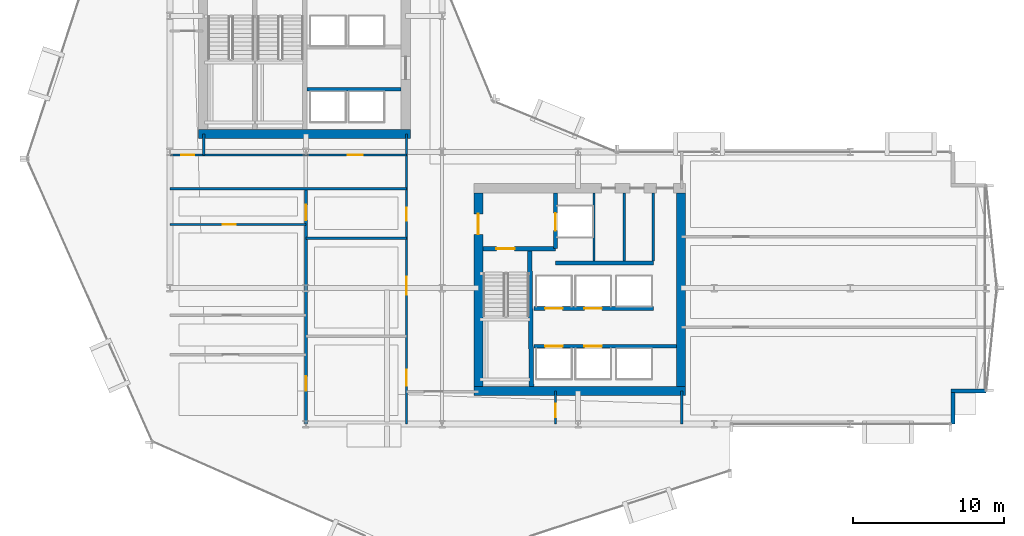
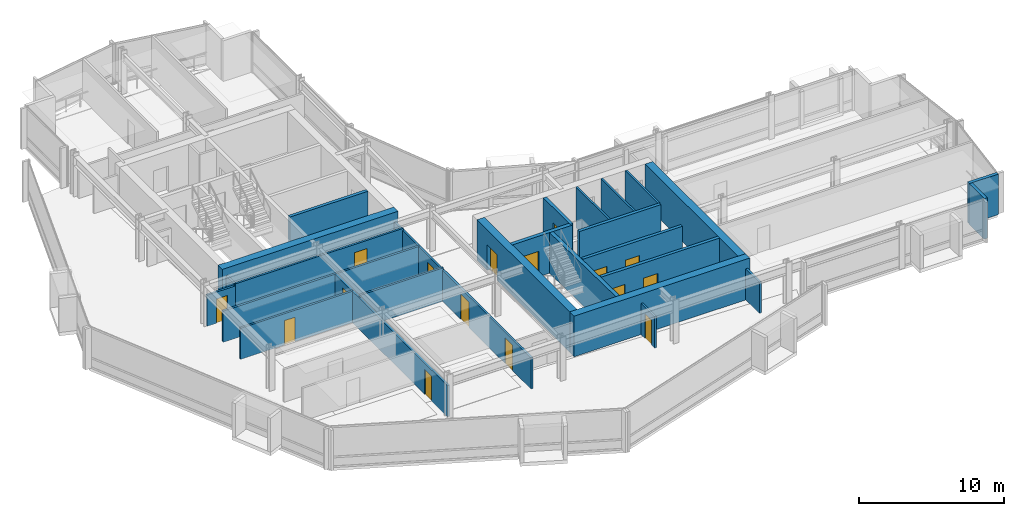
# One storey, part 27 of 34: 26 walls, 16 doors, 16 openings.
"""IFC4 building model written with IfcOpenShell, lengths in metres."""

from ifc_helpers import new_model, si_unit, direction, frame, frame_2d, origin, place, context, subcontext, project, spatial, rectangle, extrude, material, layer, layer_set, type_object, element, fill, save


model = new_model("IFC4")

# Units and contexts
model_context = context("Model", 3, precision=1e-05, world=origin(), true_north=direction((0.0, 1.0)))
body_context = subcontext(model_context, "Body", "Model", "MODEL_VIEW")
ifc_project = project(units=[si_unit("LENGTHUNIT", "METRE"), si_unit("AREAUNIT", "SQUARE_METRE"), si_unit("VOLUMEUNIT", "CUBIC_METRE"), si_unit("PLANEANGLEUNIT", "RADIAN"), si_unit("MASSUNIT", "GRAM", prefix="KILO")], contexts=[model_context])

# Site, building, storey
site_placement = place(None, origin())
site = spatial("IfcSite", under=ifc_project, at=site_placement, CompositionType="ELEMENT")
building_placement = place(site_placement, origin())
building = spatial("IfcBuilding", under=site, at=building_placement, Name="Solvaryn Broadcast Tower", CompositionType="ELEMENT")
storey_placement = place(building_placement, frame((0.0, 0.0, 36.0)))
storey = spatial("IfcBuildingStorey", under=building, at=storey_placement, Name="L07", CompositionType="ELEMENT", Elevation=36.0)

# Walls
ifc_material_1 = material(Name="Concrete f'c 70 MPa", Category="concrete")
ifc_layer_1 = layer(ifc_material_1, 0.60009765625)
ifc_layer_set_1 = layer_set([ifc_layer_1], Name="CW-SHEAR-600")
wall_type_1 = type_object("IfcWallType", Name="CW-SHEAR-600", PredefinedType="SHEAR", material=ifc_layer_set_1)
for number, where, z_axis, x_axis, name in (
    (1, (10.89990234375, 28.199951171875, 0.0), (0.0, 0.0, 1.0), (1.0, 0.0, 0.0), "L07 West Core South Shear Wall"),
    (2, (29.10009765625, 11.199951171875, 0.0), (0.0, 0.0, 1.0), (1.0, 0.0, 0.0), "L07 East Core South Shear Wall"),
):
    element("IfcWall", number, at=place(storey_placement, frame(where, z_axis=z_axis, x_axis=x_axis)), inside=storey, type_object=wall_type_1, Name=name, PredefinedType="SHEAR", context=body_context, shape_type="SweptSolid", body=[
        extrude(rectangle(XDim=14.0, YDim=0.60009765625, at=frame_2d((7.0, 0.0))), origin(), (0.0, 0.0, 1.0), 3.419921875),
    ])

# Wall, opening, door
wall_1_placement = place(storey_placement, frame((29.39990234375, 24.300048828125, 0.0), z_axis=(0.0, 0.0, 1.0), x_axis=(0.0, -1.0, 0.0)))
wall_1 = element("IfcWall", 3, at=wall_1_placement, inside=storey, type_object=wall_type_1, Name="L07 East Core West Shear Wall", PredefinedType="SHEAR", context=body_context, shape_type="SweptSolid", body=[
    extrude(rectangle(XDim=12.800048828125, YDim=0.60009765625, at=frame_2d((6.39990234375, 0.0))), origin(), (0.0, 0.0, 1.0), 3.419921875),
])
opening_1_placement = place(wall_1_placement, frame((1.39990234375, 0.0, 0.0)))
opening_1 = element("IfcOpeningElement", 4, at=opening_1_placement, cuts=wall_1, Name="Opening FD90B", PredefinedType="OPENING", context=body_context, shape_type="SweptSolid", body=[
    extrude(rectangle(XDim=1.35009765625, YDim=2.14990234375, at=frame_2d((0.675048828125, 1.074951171875))), frame((0.0, 0.31005859375, 0.0), z_axis=(0.0, -1.0, 0.0), x_axis=(1.0, 0.0, 0.0)), (0.0, 0.0, 1.0), 0.6201171875),
])
ifc_material_2 = material(Name="Flush Acoustic Steel and Timber Door Assembly", Category="steel")
door_type_1 = type_object("IfcDoorType", Name="FD90-LOBBY-1350X2150", OperationType="NOTDEFINED", PredefinedType="DOOR", material=ifc_material_2)
door_1_placement = place(opening_1_placement, origin())
door_1 = element("IfcDoor", 5, at=door_1_placement, inside=storey, type_object=door_type_1, Name="L07 East FSAE Lobby Door", OperationType="SINGLE_SWING_RIGHT", OverallHeight=2.14990234375, OverallWidth=1.35009765625, PredefinedType="DOOR", context=body_context, shape_type="SweptSolid", body=[
    extrude(rectangle(XDim=1.35009765625, YDim=2.14990234375, at=frame_2d((0.675048828125, 1.074951171875))), frame((0.0, 0.02490234375, 0.0), z_axis=(0.0, -1.0, 0.0), x_axis=(1.0, 0.0, 0.0)), (0.0, 0.0, 1.0), 0.050048828125),
])
fill(opening_1, door_1)

# Walls
wall_2_placement = place(storey_placement, frame((42.800048828125, 11.5, 0.0), z_axis=(0.0, 0.0, 1.0), x_axis=(0.0, 1.0, 0.0)))
element("IfcWall", 6, at=wall_2_placement, inside=storey, type_object=wall_type_1, Name="L07 East Core East Shear Wall", PredefinedType="SHEAR", context=body_context, shape_type="SweptSolid", body=[
    extrude(rectangle(XDim=12.800048828125, YDim=0.60009765625, at=frame_2d((6.39990234375, 0.0))), origin(), (0.0, 0.0, 1.0), 3.419921875),
])
ifc_material_3 = material(Name="Concrete f'c 50 MPa", Category="concrete")
ifc_layer_2 = layer(ifc_material_3, 0.260009765625)
ifc_layer_set_2 = layer_set([ifc_layer_2], Name="EW-PIER-260")
wall_type_2 = type_object("IfcWallType", Name="EW-PIER-260", PredefinedType="SOLIDWALL", material=ifc_layer_set_2)
wall_3_placement = place(storey_placement, frame((60.800048828125, 9.0, 0.0), z_axis=(0.0, 0.0, 1.0), x_axis=(0.0, 1.0, 0.0)))
element("IfcWall", 7, at=wall_3_placement, inside=storey, type_object=wall_type_2, Name="L07 Notched Corner Pier Wall NSE1", PredefinedType="SOLIDWALL", context=body_context, shape_type="SweptSolid", body=[
    extrude(rectangle(XDim=2.080078125, YDim=0.260009765625, at=frame_2d((1.0400390625, 0.0))), origin(), (0.0, 0.0, 1.0), 3.419921875),
])
wall_4_placement = place(storey_placement, frame((60.679931640625, 11.199951171875, 0.0), z_axis=(0.0, 0.0, 1.0), x_axis=(1.0, 0.0, 0.0)))
element("IfcWall", 8, at=wall_4_placement, inside=storey, type_object=wall_type_2, Name="L07 Notched Corner Pier Wall NSE2", PredefinedType="SOLIDWALL", context=body_context, shape_type="SweptSolid", body=[
    extrude(rectangle(XDim=2.320068359375, YDim=0.260009765625, at=frame_2d((1.16015625, 0.0))), origin(), (0.0, 0.0, 1.0), 3.419921875),
])
ifc_material_4 = material(Name="Metal-Stud Service Core Partition")
ifc_layer_3 = layer(ifc_material_4, 0.14990234375)
ifc_layer_set_3 = layer_set([ifc_layer_3], Name="IW-PART-150")
wall_type_3 = type_object("IfcWallType", Name="IW-PART-150", PredefinedType="PARTITIONING", material=ifc_layer_set_3)
for number, where, z_axis, x_axis, name in (
    (9, (37.050048828125, 19.780029296875, 0.0), (0.0, 0.0, 1.0), (0.0, 1.0, 0.0), "L07 Interior Partition IW-L07-CE-FL2E"),
    (10, (39.050048828125, 19.780029296875, 0.0), (0.0, 0.0, 1.0), (0.0, 1.0, 0.0), "L07 Interior Partition IW-L07-CE-V1"),
    (11, (40.97998046875, 19.780029296875, 0.0), (0.0, 0.0, 1.0), (0.0, 1.0, 0.0), "L07 Interior Partition IW-L07-CE-V3"),
):
    element("IfcWall", number, at=place(storey_placement, frame(where, z_axis=z_axis, x_axis=x_axis)), inside=storey, type_object=wall_type_3, Name=name, PredefinedType="PARTITIONING", context=body_context, shape_type="SweptSolid", body=[
        extrude(rectangle(XDim=4.52001953125, YDim=0.14990234375, at=frame_2d((2.260009765625, 0.0))), origin(), (0.0, 0.0, 1.0), 3.419921875),
    ])

# Wall, opening, door
wall_5_placement = place(storey_placement, frame((34.5, 9.0, 0.0), z_axis=(0.0, 0.0, 1.0), x_axis=(0.0, 1.0, 0.0)))
wall_5 = element("IfcWall", 12, at=wall_5_placement, inside=storey, type_object=wall_type_3, Name="L07 Interior Partition IW-L07-SC-V", PredefinedType="PARTITIONING", context=body_context, shape_type="SweptSolid", body=[
    extrude(rectangle(XDim=2.199951171875, YDim=0.14990234375, at=frame_2d((1.10009765625, 0.0))), origin(), (0.0, 0.0, 1.0), 2.626953125),
])
opening_2_placement = place(wall_5_placement, frame((0.449951171875, 0.0, 0.0)))
opening_2 = element("IfcOpeningElement", 13, at=opening_2_placement, cuts=wall_5, Name="Opening FD60C", PredefinedType="OPENING", context=body_context, shape_type="SweptSolid", body=[
    extrude(rectangle(XDim=0.89990234375, YDim=2.10009765625, at=frame_2d((0.449951171875, 1.050048828125))), frame((0.0, 0.0849609375, 0.0), z_axis=(0.0, -1.0, 0.0), x_axis=(1.0, 0.0, 0.0)), (0.0, 0.0, 1.0), 0.169921875),
])
ifc_material_5 = material(Name="Flush Acoustic Steel and Timber Door Assembly", Category="steel")
door_type_2 = type_object("IfcDoorType", Name="FD60-SERV-900X2100", OperationType="NOTDEFINED", PredefinedType="DOOR", material=ifc_material_5)
door_2_placement = place(opening_2_placement, origin())
door_2 = element("IfcDoor", 14, at=door_2_placement, inside=storey, type_object=door_type_2, Name="L07 Door DR-L07-SC1", OperationType="SINGLE_SWING_LEFT", OverallHeight=2.10009765625, OverallWidth=0.89990234375, PredefinedType="DOOR", context=body_context, shape_type="SweptSolid", body=[
    extrude(rectangle(XDim=0.89990234375, YDim=2.10009765625, at=frame_2d((0.449951171875, 1.050048828125))), frame((0.0, 0.02490234375, 0.0), z_axis=(0.0, -1.0, 0.0), x_axis=(1.0, 0.0, 0.0)), (0.0, 0.0, 1.0), 0.050048828125),
])
fill(opening_2, door_2)

ifc_material_6 = material(Name="Metal-Stud Gypsum Office Partition")
ifc_layer_4 = layer(ifc_material_6, 0.159912109375)
ifc_layer_set_4 = layer_set([ifc_layer_4], Name="IW-PART-160")
wall_type_4 = type_object("IfcWallType", Name="IW-PART-160", PredefinedType="PARTITIONING", material=ifc_layer_set_4)
wall_6_placement = place(storey_placement, frame((9.0, 26.800048828125, 0.0), z_axis=(0.0, 0.0, 1.0), x_axis=(1.0, 0.0, 0.0)))
wall_6 = element("IfcWall", 15, at=wall_6_placement, inside=storey, type_object=wall_type_4, Name="L07 Interior Partition IW-L07-WM-S", PredefinedType="PARTITIONING", context=body_context, shape_type="SweptSolid", body=[
    extrude(rectangle(XDim=2.25, YDim=0.159912109375, at=frame_2d((1.125, 0.0))), origin(), (0.0, 0.0, 1.0), 2.626953125),
])
opening_3_placement = place(wall_6_placement, frame((0.75, 0.0, 0.0)))
opening_3 = element("IfcOpeningElement", 16, at=opening_3_placement, cuts=wall_6, Name="Opening ID07", PredefinedType="OPENING", context=body_context, shape_type="SweptSolid", body=[
    extrude(rectangle(XDim=0.860107421875, YDim=2.050048828125, at=frame_2d((0.43017578125, 1.02490234375))), frame((0.0, 0.090087890625, 0.0), z_axis=(0.0, -1.0, 0.0), x_axis=(1.0, 0.0, 0.0)), (0.0, 0.0, 1.0), 0.179931640625),
])
ifc_material_7 = material(Name="Flush Acoustic Steel and Timber Door Assembly", Category="steel")
door_type_3 = type_object("IfcDoorType", Name="ID-07-860X2050", OperationType="NOTDEFINED", PredefinedType="DOOR", material=ifc_material_7)
door_3_placement = place(opening_3_placement, origin())
door_3 = element("IfcDoor", 17, at=door_3_placement, inside=storey, type_object=door_type_3, Name="L07 Door DR-L07-WM0", OperationType="SINGLE_SWING_RIGHT", OverallHeight=2.050048828125, OverallWidth=0.860107421875, PredefinedType="DOOR", context=body_context, shape_type="SweptSolid", body=[
    extrude(rectangle(XDim=0.860107421875, YDim=2.050048828125, at=frame_2d((0.43017578125, 1.02490234375))), frame((0.0, 0.02490234375, 0.0), z_axis=(0.0, -1.0, 0.0), x_axis=(1.0, 0.0, 0.0)), (0.0, 0.0, 1.0), 0.050048828125),
])
fill(opening_3, door_3)

# Wall, openings, doors
wall_7_placement = place(storey_placement, frame((24.64990234375, 9.0, 0.0), z_axis=(0.0, 0.0, 1.0), x_axis=(0.0, 1.0, 0.0)))
wall_7 = element("IfcWall", 18, at=wall_7_placement, inside=storey, type_object=wall_type_4, Name="L07 Interior Partition IW-L07-SW-EB", PredefinedType="PARTITIONING", context=body_context, shape_type="SweptSolid", body=[
    extrude(rectangle(XDim=19.199951171875, YDim=0.159912109375, at=frame_2d((9.60009765625, 0.0))), origin(), (0.0, 0.0, 1.0), 2.626953125),
])
opening_4_placement = place(wall_7_placement, frame((2.550048828125, 0.0, 0.0)))
opening_4 = element("IfcOpeningElement", 19, at=opening_4_placement, cuts=wall_7, Name="Opening ID03", PredefinedType="OPENING", context=body_context, shape_type="SweptSolid", body=[
    extrude(rectangle(XDim=1.050048828125, YDim=2.14990234375, at=frame_2d((0.52490234375, 1.074951171875))), frame((0.0, 0.090087890625, 0.0), z_axis=(0.0, -1.0, 0.0), x_axis=(1.0, 0.0, 0.0)), (0.0, 0.0, 1.0), 0.179931640625),
])
opening_5_placement = place(wall_7_placement, frame((8.550048828125, 0.0, 0.0)))
opening_5 = element("IfcOpeningElement", 20, at=opening_5_placement, cuts=wall_7, Name="Opening ID04", PredefinedType="OPENING", context=body_context, shape_type="SweptSolid", body=[
    extrude(rectangle(XDim=1.199951171875, YDim=2.14990234375, at=frame_2d((0.60009765625, 1.074951171875))), frame((0.0, 0.090087890625, 0.0), z_axis=(0.0, -1.0, 0.0), x_axis=(1.0, 0.0, 0.0)), (0.0, 0.0, 1.0), 0.179931640625),
])
opening_6_placement = place(wall_7_placement, frame((13.43994140625, 0.0, 0.0)))
opening_6 = element("IfcOpeningElement", 21, at=opening_6_placement, cuts=wall_7, Name="Opening ID07", PredefinedType="OPENING", context=body_context, shape_type="SweptSolid", body=[
    extrude(rectangle(XDim=0.860107421875, YDim=2.050048828125, at=frame_2d((0.43017578125, 1.02490234375))), frame((0.0, 0.090087890625, 0.0), z_axis=(0.0, -1.0, 0.0), x_axis=(1.0, 0.0, 0.0)), (0.0, 0.0, 1.0), 0.179931640625),
])
ifc_material_8 = material(Name="Flush Acoustic Steel and Timber Door Assembly", Category="steel")
door_type_4 = type_object("IfcDoorType", Name="ID-03-1050X2150", OperationType="NOTDEFINED", PredefinedType="DOOR", material=ifc_material_8)
door_4_placement = place(opening_4_placement, origin())
door_4 = element("IfcDoor", 22, at=door_4_placement, inside=storey, type_object=door_type_4, Name="L07 Door DR-L07-SWE-1", OperationType="SINGLE_SWING_LEFT", OverallHeight=2.14990234375, OverallWidth=1.050048828125, PredefinedType="DOOR", context=body_context, shape_type="SweptSolid", body=[
    extrude(rectangle(XDim=1.050048828125, YDim=2.14990234375, at=frame_2d((0.52490234375, 1.074951171875))), frame((0.0, 0.02490234375, 0.0), z_axis=(0.0, -1.0, 0.0), x_axis=(1.0, 0.0, 0.0)), (0.0, 0.0, 1.0), 0.050048828125),
])
fill(opening_4, door_4)
ifc_material_9 = material(Name="Flush Acoustic Steel and Timber Door Assembly", Category="steel")
door_type_5 = type_object("IfcDoorType", Name="ID-04-1200X2150", OperationType="NOTDEFINED", PredefinedType="DOOR", material=ifc_material_9)
door_5_placement = place(opening_5_placement, origin())
door_5 = element("IfcDoor", 23, at=door_5_placement, inside=storey, type_object=door_type_5, Name="L07 Door DR-L07-SWE-2", OperationType="SINGLE_SWING_RIGHT", OverallHeight=2.14990234375, OverallWidth=1.199951171875, PredefinedType="DOOR", context=body_context, shape_type="SweptSolid", body=[
    extrude(rectangle(XDim=1.199951171875, YDim=2.14990234375, at=frame_2d((0.60009765625, 1.074951171875))), frame((0.0, 0.02490234375, 0.0), z_axis=(0.0, -1.0, 0.0), x_axis=(1.0, 0.0, 0.0)), (0.0, 0.0, 1.0), 0.050048828125),
])
fill(opening_5, door_5)
door_6_placement = place(opening_6_placement, origin())
door_6 = element("IfcDoor", 24, at=door_6_placement, inside=storey, type_object=door_type_3, Name="L07 Door DR-L07-SWE-3", OperationType="SINGLE_SWING_LEFT", OverallHeight=2.050048828125, OverallWidth=0.860107421875, PredefinedType="DOOR", context=body_context, shape_type="SweptSolid", body=[
    extrude(rectangle(XDim=0.860107421875, YDim=2.050048828125, at=frame_2d((0.43017578125, 1.02490234375))), frame((0.0, 0.02490234375, 0.0), z_axis=(0.0, -1.0, 0.0), x_axis=(1.0, 0.0, 0.0)), (0.0, 0.0, 1.0), 0.050048828125),
])
fill(opening_6, door_6)

# Wall
wall_8_placement = place(storey_placement, frame((9.0, 24.580078125, 0.0), z_axis=(0.0, 0.0, 1.0), x_axis=(1.0, 0.0, 0.0)))
element("IfcWall", 25, at=wall_8_placement, inside=storey, type_object=wall_type_4, Name="L07 Interior Partition IW-L07-SW-NB", PredefinedType="PARTITIONING", context=body_context, shape_type="SweptSolid", body=[
    extrude(rectangle(XDim=15.64990234375, YDim=0.159912109375, at=frame_2d((7.824951171875, 0.0))), origin(), (0.0, 0.0, 1.0), 2.626953125),
])

# Wall, opening, door
wall_9_placement = place(storey_placement, frame((11.25, 26.800048828125, 0.0), z_axis=(0.0, 0.0, 1.0), x_axis=(1.0, 0.0, 0.0)))
wall_9 = element("IfcWall", 26, at=wall_9_placement, inside=storey, type_object=wall_type_4, Name="L07 Interior Partition IW-L07-SW-N2", PredefinedType="PARTITIONING", context=body_context, shape_type="SweptSolid", body=[
    extrude(rectangle(XDim=13.39990234375, YDim=0.159912109375, at=frame_2d((6.699951171875, 0.0))), origin(), (0.0, 0.0, 1.0), 2.7890625),
])
opening_7_placement = place(wall_9_placement, frame((9.5, 0.0, 0.0)))
opening_7 = element("IfcOpeningElement", 27, at=opening_7_placement, cuts=wall_9, Name="Opening ID02", PredefinedType="OPENING", context=body_context, shape_type="SweptSolid", body=[
    extrude(rectangle(XDim=1.0, YDim=2.10009765625, at=frame_2d((0.5, 1.050048828125))), frame((0.0, 0.090087890625, 0.0), z_axis=(0.0, -1.0, 0.0), x_axis=(1.0, 0.0, 0.0)), (0.0, 0.0, 1.0), 0.179931640625),
])
ifc_material_10 = material(Name="Flush Acoustic Steel and Timber Door Assembly", Category="steel")
door_type_6 = type_object("IfcDoorType", Name="ID-02-1000X2100", OperationType="NOTDEFINED", PredefinedType="DOOR", material=ifc_material_10)
door_7_placement = place(opening_7_placement, origin())
door_7 = element("IfcDoor", 28, at=door_7_placement, inside=storey, type_object=door_type_6, Name="L07 Door DR-L07-SW-ALC", OperationType="SINGLE_SWING_RIGHT", OverallHeight=2.10009765625, OverallWidth=1.0, PredefinedType="DOOR", context=body_context, shape_type="SweptSolid", body=[
    extrude(rectangle(XDim=1.0, YDim=2.10009765625, at=frame_2d((0.5, 1.050048828125))), frame((0.0, 0.02490234375, 0.0), z_axis=(0.0, -1.0, 0.0), x_axis=(1.0, 0.0, 0.0)), (0.0, 0.0, 1.0), 0.050048828125),
])
fill(opening_7, door_7)

# Walls
wall_10_placement = place(storey_placement, frame((11.25, 26.800048828125, 0.0), z_axis=(0.0, 0.0, 1.0), x_axis=(0.0, 1.0, 0.0)))
element("IfcWall", 29, at=wall_10_placement, inside=storey, type_object=wall_type_4, Name="L07 Interior Partition IW-L07-SW-ALW", PredefinedType="PARTITIONING", context=body_context, shape_type="SweptSolid", body=[
    extrude(rectangle(XDim=1.39990234375, YDim=0.159912109375, at=frame_2d((0.699951171875, 0.0))), origin(), (0.0, 0.0, 1.0), 2.7890625),
])
wall_11_placement = place(storey_placement, frame((18.0, 21.300048828125, 0.0), z_axis=(0.0, 0.0, 1.0), x_axis=(1.0, 0.0, 0.0)))
element("IfcWall", 30, at=wall_11_placement, inside=storey, type_object=wall_type_4, Name="L07 Interior Partition IW-L07-SWE-H2", PredefinedType="PARTITIONING", context=body_context, shape_type="SweptSolid", body=[
    extrude(rectangle(XDim=6.64990234375, YDim=0.159912109375, at=frame_2d((3.324951171875, 0.0))), origin(), (0.0, 0.0, 1.0), 2.7919921875),
])

# Wall, opening, door
wall_12_placement = place(storey_placement, frame((9.0, 22.199951171875, 0.0), z_axis=(0.0, 0.0, 1.0), x_axis=(1.0, 0.0, 0.0)))
wall_12 = element("IfcWall", 31, at=wall_12_placement, inside=storey, type_object=wall_type_4, Name="L07 Interior Partition IW-L07-SWW-H3", PredefinedType="PARTITIONING", context=body_context, shape_type="SweptSolid", body=[
    extrude(rectangle(XDim=9.0, YDim=0.159912109375, at=frame_2d((4.5, 0.0))), origin(), (0.0, 0.0, 1.0), 2.626953125),
])
opening_8_placement = place(wall_12_placement, frame((3.5, 0.0, 0.0)))
opening_8 = element("IfcOpeningElement", 32, at=opening_8_placement, cuts=wall_12, Name="Opening ID07", PredefinedType="OPENING", context=body_context, shape_type="SweptSolid", body=[
    extrude(rectangle(XDim=0.860107421875, YDim=2.050048828125, at=frame_2d((0.43017578125, 1.02490234375))), frame((0.0, 0.090087890625, 0.0), z_axis=(0.0, -1.0, 0.0), x_axis=(1.0, 0.0, 0.0)), (0.0, 0.0, 1.0), 0.179931640625),
])
door_8_placement = place(opening_8_placement, origin())
door_8 = element("IfcDoor", 33, at=door_8_placement, inside=storey, type_object=door_type_3, Name="L07 Door DR-L07-SWW-3", OperationType="SINGLE_SWING_RIGHT", OverallHeight=2.050048828125, OverallWidth=0.860107421875, PredefinedType="DOOR", context=body_context, shape_type="SweptSolid", body=[
    extrude(rectangle(XDim=0.860107421875, YDim=2.050048828125, at=frame_2d((0.43017578125, 1.02490234375))), frame((0.0, 0.02490234375, 0.0), z_axis=(0.0, -1.0, 0.0), x_axis=(1.0, 0.0, 0.0)), (0.0, 0.0, 1.0), 0.050048828125),
])
fill(opening_8, door_8)

# Wall
wall_13_placement = place(storey_placement, frame((42.85009765625, 9.0, 0.0), z_axis=(0.0, 0.0, 1.0), x_axis=(0.0, 1.0, 0.0)))
element("IfcWall", 34, at=wall_13_placement, inside=storey, type_object=wall_type_4, Name="L07 Interior Partition IW-L07-SC-E", PredefinedType="PARTITIONING", context=body_context, shape_type="SweptSolid", body=[
    extrude(rectangle(XDim=2.199951171875, YDim=0.159912109375, at=frame_2d((1.10009765625, 0.0))), origin(), (0.0, 0.0, 1.0), 2.626953125),
])

# Wall, openings, doors
ifc_material_11 = material(Name="Acoustic Metal-Stud Gypsum Partition")
ifc_layer_5 = layer(ifc_material_11, 0.179931640625)
ifc_layer_set_5 = layer_set([ifc_layer_5], Name="IW-PART-180")
wall_type_5 = type_object("IfcWallType", Name="IW-PART-180", PredefinedType="PARTITIONING", material=ifc_layer_set_5)
wall_14_placement = place(storey_placement, frame((18.0, 9.0, 0.0), z_axis=(0.0, 0.0, 1.0), x_axis=(0.0, 1.0, 0.0)))
wall_14 = element("IfcWall", 35, at=wall_14_placement, inside=storey, type_object=wall_type_5, Name="L07 Interior Partition IW-L07-SW-VX", PredefinedType="PARTITIONING", context=body_context, shape_type="SweptSolid", body=[
    extrude(rectangle(XDim=15.580078125, YDim=0.179931640625, at=frame_2d((7.7900390625, 0.0))), origin(), (0.0, 0.0, 1.0), 2.626953125),
])
opening_9_placement = place(wall_14_placement, frame((2.199951171875, 0.0, 0.0)))
opening_9 = element("IfcOpeningElement", 36, at=opening_9_placement, cuts=wall_14, Name="Opening ID01", PredefinedType="OPENING", context=body_context, shape_type="SweptSolid", body=[
    extrude(rectangle(XDim=0.949951171875, YDim=2.10009765625, at=frame_2d((0.47509765625, 1.050048828125))), frame((0.0, 0.099853515625, 0.0), z_axis=(0.0, -1.0, 0.0), x_axis=(1.0, 0.0, 0.0)), (0.0, 0.0, 1.0), 0.199951171875),
])
opening_10_placement = place(wall_14_placement, frame((13.5, 0.0, 0.0)))
opening_10 = element("IfcOpeningElement", 37, at=opening_10_placement, cuts=wall_14, Name="Opening ID02", PredefinedType="OPENING", context=body_context, shape_type="SweptSolid", body=[
    extrude(rectangle(XDim=1.0, YDim=2.10009765625, at=frame_2d((0.5, 1.050048828125))), frame((0.0, 0.099853515625, 0.0), z_axis=(0.0, -1.0, 0.0), x_axis=(1.0, 0.0, 0.0)), (0.0, 0.0, 1.0), 0.199951171875),
])
ifc_material_12 = material(Name="Flush Acoustic Steel and Timber Door Assembly", Category="steel")
door_type_7 = type_object("IfcDoorType", Name="ID-01-950X2100", OperationType="NOTDEFINED", PredefinedType="DOOR", material=ifc_material_12)
door_9_placement = place(opening_9_placement, origin())
door_9 = element("IfcDoor", 38, at=door_9_placement, inside=storey, type_object=door_type_7, Name="L07 Door DR-L07-SWW-X1", OperationType="SINGLE_SWING_RIGHT", OverallHeight=2.10009765625, OverallWidth=0.949951171875, PredefinedType="DOOR", context=body_context, shape_type="SweptSolid", body=[
    extrude(rectangle(XDim=0.949951171875, YDim=2.10009765625, at=frame_2d((0.47509765625, 1.050048828125))), frame((0.0, 0.02490234375, 0.0), z_axis=(0.0, -1.0, 0.0), x_axis=(1.0, 0.0, 0.0)), (0.0, 0.0, 1.0), 0.050048828125),
])
fill(opening_9, door_9)
door_10_placement = place(opening_10_placement, origin())
door_10 = element("IfcDoor", 39, at=door_10_placement, inside=storey, type_object=door_type_6, Name="L07 Door DR-L07-SWW-X2", OperationType="SINGLE_SWING_LEFT", OverallHeight=2.10009765625, OverallWidth=1.0, PredefinedType="DOOR", context=body_context, shape_type="SweptSolid", body=[
    extrude(rectangle(XDim=1.0, YDim=2.10009765625, at=frame_2d((0.5, 1.050048828125))), frame((0.0, 0.02490234375, 0.0), z_axis=(0.0, -1.0, 0.0), x_axis=(1.0, 0.0, 0.0)), (0.0, 0.0, 1.0), 0.050048828125),
])
fill(opening_10, door_10)

# Wall
ifc_material_13 = material(Name="Concrete f'c 60 MPa", Category="concrete")
ifc_layer_6 = layer(ifc_material_13, 0.25)
ifc_layer_set_6 = layer_set([ifc_layer_6], Name="SW-SHAFT-250")
wall_type_6 = type_object("IfcWallType", Name="SW-SHAFT-250", PredefinedType="PARTITIONING", material=ifc_layer_set_6)
wall_15_placement = place(storey_placement, frame((18.070068359375, 31.14990234375, 0.0), z_axis=(0.0, 0.0, 1.0), x_axis=(1.0, 0.0, 0.0)))
element("IfcWall", 40, at=wall_15_placement, inside=storey, type_object=wall_type_6, Name="L07 High-Rise Lift Bank South Wall", PredefinedType="PARTITIONING", context=body_context, shape_type="SweptSolid", body=[
    extrude(rectangle(XDim=6.22998046875, YDim=0.25, at=frame_2d((3.114990234375, 0.0))), origin(), (0.0, 0.0, 1.0), 3.419921875),
])

# Wall, opening, door
wall_16_placement = place(storey_placement, frame((34.5, 20.60009765625, 0.0), z_axis=(0.0, 0.0, 1.0), x_axis=(0.0, 1.0, 0.0)))
wall_16 = element("IfcWall", 41, at=wall_16_placement, inside=storey, type_object=wall_type_6, Name="L07 East FSAE Lobby East Wall", PredefinedType="PARTITIONING", context=body_context, shape_type="SweptSolid", body=[
    extrude(rectangle(XDim=3.699951171875, YDim=0.25, at=frame_2d((1.85009765625, 0.0))), origin(), (0.0, 0.0, 1.0), 3.419921875),
])
opening_11_placement = place(wall_16_placement, frame((1.199951171875, 0.0, 0.0)))
opening_11 = element("IfcOpeningElement", 42, at=opening_11_placement, cuts=wall_16, Name="Opening LD01", PredefinedType="OPENING", context=body_context, shape_type="SweptSolid", body=[
    extrude(rectangle(XDim=1.14990234375, YDim=2.14990234375, at=frame_2d((0.574951171875, 1.074951171875))), frame((0.0, 0.135009765625, 0.0), z_axis=(0.0, -1.0, 0.0), x_axis=(1.0, 0.0, 0.0)), (0.0, 0.0, 1.0), 0.27001953125),
])
ifc_material_14 = material(Name="Flush Acoustic Steel and Timber Door Assembly", Category="steel")
door_type_8 = type_object("IfcDoorType", Name="LD-LIFT-1150X2150", OperationType="NOTDEFINED", PredefinedType="DOOR", material=ifc_material_14)
door_11_placement = place(opening_11_placement, origin())
door_11 = element("IfcDoor", 43, at=door_11_placement, inside=storey, type_object=door_type_8, Name="L07 FL2 Lift Landing Door", OperationType="DOUBLE_DOOR_SLIDING", OverallHeight=2.14990234375, OverallWidth=1.14990234375, PredefinedType="DOOR", context=body_context, shape_type="SweptSolid", body=[
    extrude(rectangle(XDim=1.14990234375, YDim=2.14990234375, at=frame_2d((0.574951171875, 1.074951171875))), frame((0.0, 0.02490234375, 0.0), z_axis=(0.0, -1.0, 0.0), x_axis=(1.0, 0.0, 0.0)), (0.0, 0.0, 1.0), 0.050048828125),
])
fill(opening_11, door_11)

# Wall
wall_17_placement = place(storey_placement, frame((34.5, 19.64990234375, 0.0), z_axis=(0.0, 0.0, 1.0), x_axis=(1.0, 0.0, 0.0)))
element("IfcWall", 44, at=wall_17_placement, inside=storey, type_object=wall_type_6, Name="L07 East Core Restroom South Wall", PredefinedType="PARTITIONING", context=body_context, shape_type="SweptSolid", body=[
    extrude(rectangle(XDim=6.47998046875, YDim=0.25, at=frame_2d((3.239990234375, 0.0))), origin(), (0.0, 0.0, 1.0), 3.419921875),
])

# Wall, openings, doors
wall_18_placement = place(storey_placement, frame((33.070068359375, 14.14990234375, 0.0), z_axis=(0.0, 0.0, 1.0), x_axis=(1.0, 0.0, 0.0)))
wall_18 = element("IfcWall", 45, at=wall_18_placement, inside=storey, type_object=wall_type_6, Name="L07 East Lift Bank South Wall", PredefinedType="PARTITIONING", context=body_context, shape_type="SweptSolid", body=[
    extrude(rectangle(XDim=9.429931640625, YDim=0.25, at=frame_2d((4.71484375, 0.0))), origin(), (0.0, 0.0, 1.0), 3.419921875),
])
opening_12_placement = place(wall_18_placement, frame((0.7548828125, 0.0, 0.0)))
opening_12 = element("IfcOpeningElement", 46, at=opening_12_placement, cuts=wall_18, Name="Opening LD01", PredefinedType="OPENING", context=body_context, shape_type="SweptSolid", body=[
    extrude(rectangle(XDim=1.14990234375, YDim=2.14990234375, at=frame_2d((0.574951171875, 1.074951171875))), frame((0.0, 0.135009765625, 0.0), z_axis=(0.0, -1.0, 0.0), x_axis=(1.0, 0.0, 0.0)), (0.0, 0.0, 1.0), 0.27001953125),
])
opening_13_placement = place(wall_18_placement, frame((3.35498046875, 0.0, 0.0)))
opening_13 = element("IfcOpeningElement", 47, at=opening_13_placement, cuts=wall_18, Name="Opening LD01", PredefinedType="OPENING", context=body_context, shape_type="SweptSolid", body=[
    extrude(rectangle(XDim=1.14990234375, YDim=2.14990234375, at=frame_2d((0.574951171875, 1.074951171875))), frame((0.0, 0.135009765625, 0.0), z_axis=(0.0, -1.0, 0.0), x_axis=(1.0, 0.0, 0.0)), (0.0, 0.0, 1.0), 0.27001953125),
])
door_12_placement = place(opening_12_placement, origin())
door_12 = element("IfcDoor", 48, at=door_12_placement, inside=storey, type_object=door_type_8, Name="L07 PL1 Lift Landing Door", OperationType="DOUBLE_DOOR_SLIDING", OverallHeight=2.14990234375, OverallWidth=1.14990234375, PredefinedType="DOOR", context=body_context, shape_type="SweptSolid", body=[
    extrude(rectangle(XDim=1.14990234375, YDim=2.14990234375, at=frame_2d((0.574951171875, 1.074951171875))), frame((0.0, 0.02490234375, 0.0), z_axis=(0.0, -1.0, 0.0), x_axis=(1.0, 0.0, 0.0)), (0.0, 0.0, 1.0), 0.050048828125),
])
fill(opening_12, door_12)
door_13_placement = place(opening_13_placement, origin())
door_13 = element("IfcDoor", 49, at=door_13_placement, inside=storey, type_object=door_type_8, Name="L07 PL2 Lift Landing Door", OperationType="DOUBLE_DOOR_SLIDING", OverallHeight=2.14990234375, OverallWidth=1.14990234375, PredefinedType="DOOR", context=body_context, shape_type="SweptSolid", body=[
    extrude(rectangle(XDim=1.14990234375, YDim=2.14990234375, at=frame_2d((0.574951171875, 1.074951171875))), frame((0.0, 0.02490234375, 0.0), z_axis=(0.0, -1.0, 0.0), x_axis=(1.0, 0.0, 0.0)), (0.0, 0.0, 1.0), 0.050048828125),
])
fill(opening_13, door_13)

wall_19_placement = place(storey_placement, frame((40.97998046875, 16.64990234375, 0.0), z_axis=(0.0, 0.0, 1.0), x_axis=(-1.0, 0.0, 0.0)))
wall_19 = element("IfcWall", 50, at=wall_19_placement, inside=storey, type_object=wall_type_6, Name="L07 East Lift Bank North Wall", PredefinedType="PARTITIONING", context=body_context, shape_type="SweptSolid", body=[
    extrude(rectangle(XDim=7.909912109375, YDim=0.25, at=frame_2d((3.955078125, 0.0))), origin(), (0.0, 0.0, 1.0), 3.419921875),
])
opening_14_placement = place(wall_19_placement, frame((6.0048828125, 0.0, 0.0)))
opening_14 = element("IfcOpeningElement", 51, at=opening_14_placement, cuts=wall_19, Name="Opening LD01", PredefinedType="OPENING", context=body_context, shape_type="SweptSolid", body=[
    extrude(rectangle(XDim=1.14990234375, YDim=2.14990234375, at=frame_2d((0.574951171875, 1.074951171875))), frame((0.0, 0.135009765625, 0.0), z_axis=(0.0, -1.0, 0.0), x_axis=(1.0, 0.0, 0.0)), (0.0, 0.0, 1.0), 0.27001953125),
])
opening_15_placement = place(wall_19_placement, frame((3.405029296875, 0.0, 0.0)))
opening_15 = element("IfcOpeningElement", 52, at=opening_15_placement, cuts=wall_19, Name="Opening LD01", PredefinedType="OPENING", context=body_context, shape_type="SweptSolid", body=[
    extrude(rectangle(XDim=1.14990234375, YDim=2.14990234375, at=frame_2d((0.574951171875, 1.074951171875))), frame((0.0, 0.135009765625, 0.0), z_axis=(0.0, -1.0, 0.0), x_axis=(1.0, 0.0, 0.0)), (0.0, 0.0, 1.0), 0.27001953125),
])
door_14_placement = place(opening_14_placement, origin())
door_14 = element("IfcDoor", 53, at=door_14_placement, inside=storey, type_object=door_type_8, Name="L07 PL3 Lift Landing Door", OperationType="DOUBLE_DOOR_SLIDING", OverallHeight=2.14990234375, OverallWidth=1.14990234375, PredefinedType="DOOR", context=body_context, shape_type="SweptSolid", body=[
    extrude(rectangle(XDim=1.14990234375, YDim=2.14990234375, at=frame_2d((0.574951171875, 1.074951171875))), frame((0.0, 0.02490234375, 0.0), z_axis=(0.0, -1.0, 0.0), x_axis=(1.0, 0.0, 0.0)), (0.0, 0.0, 1.0), 0.050048828125),
])
fill(opening_14, door_14)
door_15_placement = place(opening_15_placement, origin())
door_15 = element("IfcDoor", 54, at=door_15_placement, inside=storey, type_object=door_type_8, Name="L07 PL4 Lift Landing Door", OperationType="DOUBLE_DOOR_SLIDING", OverallHeight=2.14990234375, OverallWidth=1.14990234375, PredefinedType="DOOR", context=body_context, shape_type="SweptSolid", body=[
    extrude(rectangle(XDim=1.14990234375, YDim=2.14990234375, at=frame_2d((0.574951171875, 1.074951171875))), frame((0.0, 0.02490234375, 0.0), z_axis=(0.0, -1.0, 0.0), x_axis=(1.0, 0.0, 0.0)), (0.0, 0.0, 1.0), 0.050048828125),
])
fill(opening_15, door_15)

# Wall
ifc_material_15 = material(Name="Concrete f'c 70 MPa", Category="concrete")
ifc_layer_7 = layer(ifc_material_15, 0.300048828125)
ifc_layer_set_7 = layer_set([ifc_layer_7], Name="SW-SHAFT-300")
wall_type_7 = type_object("IfcWallType", Name="SW-SHAFT-300", PredefinedType="SHEAR", material=ifc_layer_set_7)
wall_20_placement = place(storey_placement, frame((32.919921875, 11.5, 0.0), z_axis=(0.0, 0.0, 1.0), x_axis=(-0.013244407292, 0.999912288991, 0.0)))
element("IfcWall", 55, at=wall_20_placement, inside=storey, type_object=wall_type_7, Name="L07 Stair 3 East Shear Wall", PredefinedType="SHEAR", context=body_context, shape_type="SweptSolid", body=[
    extrude(rectangle(XDim=9.05078125, YDim=0.300048828125, at=frame_2d((4.525390625, 0.0))), origin(), (0.0, 0.0, 1.0), 3.419921875),
])

# Wall, opening, door
wall_21_placement = place(storey_placement, frame((34.5, 20.60009765625, 0.0), z_axis=(0.0, 0.0, 1.0), x_axis=(-1.0, 0.0, 0.0)))
wall_21 = element("IfcWall", 56, at=wall_21_placement, inside=storey, type_object=wall_type_7, Name="L07 East FSAE Lobby South Wall", PredefinedType="SHEAR", context=body_context, shape_type="SweptSolid", body=[
    extrude(rectangle(XDim=4.800048828125, YDim=0.300048828125, at=frame_2d((2.39990234375, 0.0))), origin(), (0.0, 0.0, 1.0), 3.419921875),
])
opening_16_placement = place(wall_21_placement, frame((2.699951171875, 0.0, 0.0)))
opening_16 = element("IfcOpeningElement", 57, at=opening_16_placement, cuts=wall_21, Name="Opening FD90A", PredefinedType="OPENING", context=body_context, shape_type="SweptSolid", body=[
    extrude(rectangle(XDim=1.199951171875, YDim=2.14990234375, at=frame_2d((0.60009765625, 1.074951171875))), frame((0.0, 0.159912109375, 0.0), z_axis=(0.0, -1.0, 0.0), x_axis=(1.0, 0.0, 0.0)), (0.0, 0.0, 1.0), 0.320068359375),
])
ifc_material_16 = material(Name="Flush Acoustic Steel and Timber Door Assembly", Category="steel")
door_type_9 = type_object("IfcDoorType", Name="FD90-STAIR-1200X2150", OperationType="NOTDEFINED", PredefinedType="DOOR", material=ifc_material_16)
door_16_placement = place(opening_16_placement, origin())
door_16 = element("IfcDoor", 58, at=door_16_placement, inside=storey, type_object=door_type_9, Name="L07 Stair 3 Fire Door", OperationType="SINGLE_SWING_LEFT", OverallHeight=2.14990234375, OverallWidth=1.199951171875, PredefinedType="DOOR", context=body_context, shape_type="SweptSolid", body=[
    extrude(rectangle(XDim=1.199951171875, YDim=2.14990234375, at=frame_2d((0.60009765625, 1.074951171875))), frame((0.0, 0.02490234375, 0.0), z_axis=(0.0, -1.0, 0.0), x_axis=(1.0, 0.0, 0.0)), (0.0, 0.0, 1.0), 0.050048828125),
])
fill(opening_16, door_16)

save(model, "model.ifc")
